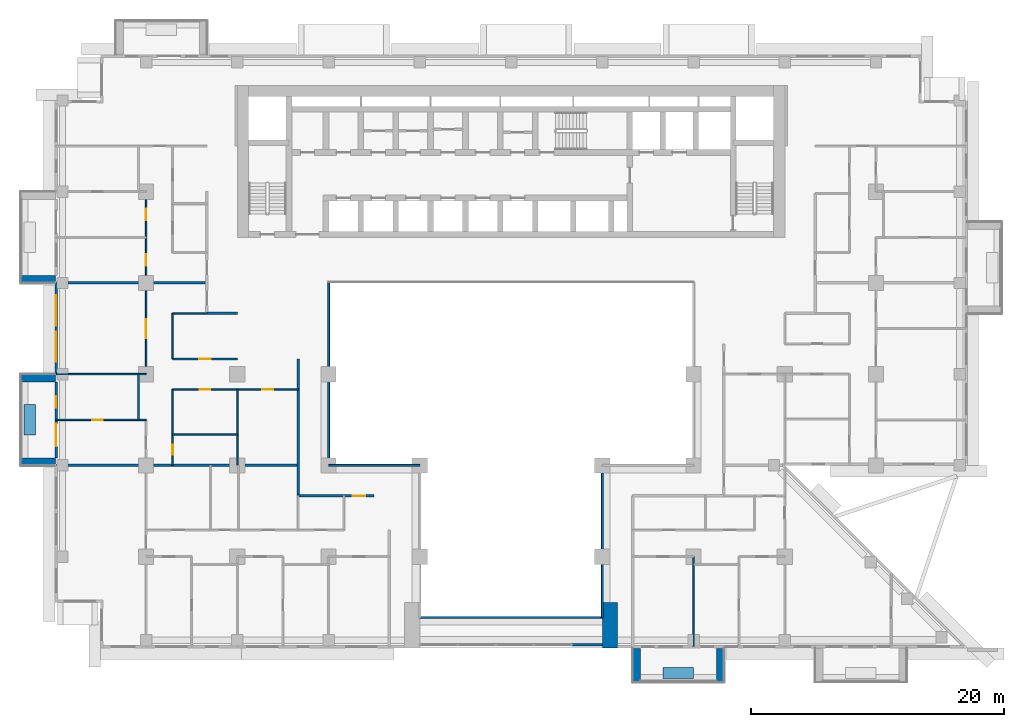
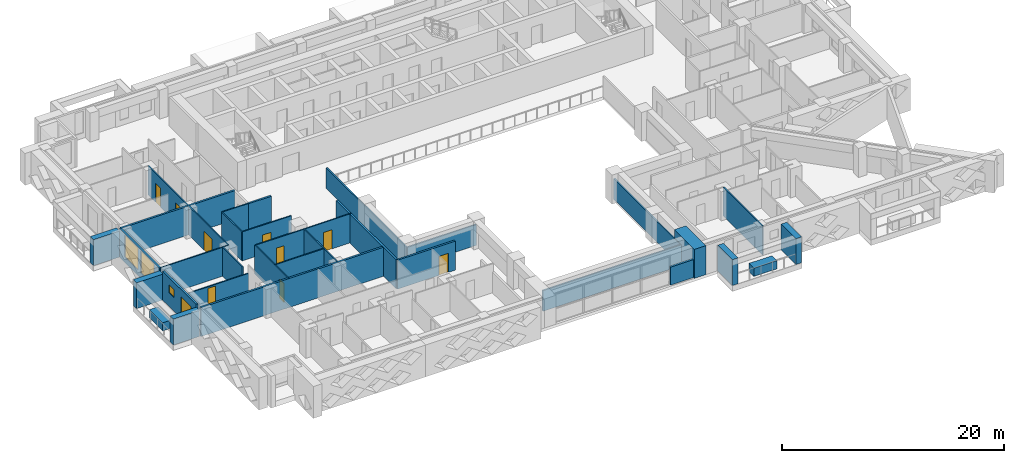
# One storey, part 7 of 17: 32 walls, 10 doors, 3 windows, 13 openings.
"""IFC4 building model written with IfcOpenShell, lengths in metres."""

from ifc_helpers import new_model, si_unit, direction, frame, frame_2d, origin, place, context, subcontext, project, spatial, rectangle, extrude, material, layer, layer_set, type_object, element, fill, save


model = new_model("IFC4")

# Units and contexts
model_context = context("Model", 3, precision=1e-05, world=origin(), true_north=direction((0.0, 1.0)))
body_context = subcontext(model_context, "Body", "Model", "MODEL_VIEW")
ifc_project = project(units=[si_unit("LENGTHUNIT", "METRE"), si_unit("AREAUNIT", "SQUARE_METRE"), si_unit("VOLUMEUNIT", "CUBIC_METRE"), si_unit("PLANEANGLEUNIT", "RADIAN"), si_unit("MASSUNIT", "GRAM", prefix="KILO")], contexts=[model_context])

# Site, building, storey
site_placement = place(None, origin())
site = spatial("IfcSite", under=ifc_project, at=site_placement, CompositionType="ELEMENT")
building_placement = place(site_placement, origin())
building = spatial("IfcBuilding", under=site, at=building_placement, Name="Saffron Iwan Residences", CompositionType="ELEMENT")
storey_placement = place(building_placement, frame((0.0, 0.0, 100.5)))
storey = spatial("IfcBuildingStorey", under=building, at=storey_placement, Name="L26", CompositionType="ELEMENT", Elevation=100.5)

# Walls
ifc_material_1 = material(Name="Fire-rated glazing", Category="glass")
ifc_layer_1 = layer(ifc_material_1, 0.14990234375)
ifc_layer_set_1 = layer_set([ifc_layer_1], Name="Fire-rated glazing")
wall_type_1 = type_object("IfcWallType", Name="Atrium glazed screen 150", PredefinedType="SOLIDWALL", material=ifc_layer_set_1)
wall_1_placement = place(storey_placement, frame((43.199951171875, 36.0, 0.0), z_axis=(0.0, 0.0, 1.0), x_axis=(1.0, 0.0, 0.0)))
element("IfcWall", 1, at=wall_1_placement, inside=storey, type_object=wall_type_1, Name="W-L26-SCREEN-h36-43.2", PredefinedType="SOLIDWALL", context=body_context, shape_type="SweptSolid", body=[
    extrude(rectangle(XDim=14.400146484375, YDim=0.14990234375, at=frame_2d((7.2001953125, 0.0))), origin(), (0.0, 0.0, 1.0), 2.280029296875),
])
wall_2_placement = place(storey_placement, frame((36.0, 48.0, 0.0), z_axis=(0.0, 0.0, 1.0), x_axis=(1.0, 0.0, 0.0)))
element("IfcWall", 2, at=wall_2_placement, inside=storey, type_object=wall_type_1, Name="W-L26-SCREEN-h48-36", PredefinedType="SOLIDWALL", context=body_context, shape_type="SweptSolid", body=[
    extrude(rectangle(XDim=7.199951171875, YDim=0.14990234375, at=frame_2d((3.60009765625, 0.0))), origin(), (0.0, 0.0, 1.0), 2.280029296875),
])
wall_3_placement = place(storey_placement, frame((36.0, 48.0, 0.0), z_axis=(0.0, 0.0, 1.0), x_axis=(0.0, 1.0, 0.0)))
element("IfcWall", 3, at=wall_3_placement, inside=storey, type_object=wall_type_1, Name="W-L26-SCREEN-v36-48", PredefinedType="SOLIDWALL", context=body_context, shape_type="SweptSolid", body=[
    extrude(rectangle(XDim=14.39990234375, YDim=0.14990234375, at=frame_2d((7.199951171875, 0.0))), origin(), (0.0, 0.0, 1.0), 2.280029296875),
])
wall_4_placement = place(storey_placement, frame((57.60009765625, 36.0, 0.0), z_axis=(0.0, 0.0, 1.0), x_axis=(0.0, 1.0, 0.0)))
element("IfcWall", 4, at=wall_4_placement, inside=storey, type_object=wall_type_1, Name="W-L26-SCREEN-v57.6-36", PredefinedType="SOLIDWALL", context=body_context, shape_type="SweptSolid", body=[
    extrude(rectangle(XDim=12.0, YDim=0.14990234375, at=frame_2d((6.0, 0.0))), origin(), (0.0, 0.0, 1.0), 2.280029296875),
])
ifc_material_2 = material(Name="Concrete C50/60 white painted", Category="concrete")
ifc_layer_2 = layer(ifc_material_2, 0.60009765625)
ifc_layer_set_2 = layer_set([ifc_layer_2], Name="Concrete C50/60 white painted")
wall_type_2 = type_object("IfcWallType", Name="BALCONY FIN 600", PredefinedType="SOLIDWALL", material=ifc_layer_set_2)
for number, where, z_axis, x_axis, name in (
    (5, (14.449951171875, 62.699951171875, 0.0), (0.0, 0.0, 1.0), (-1.0, 0.0, 0.0), "Balcony fin L26 F8-0b"),
    (6, (14.449951171875, 54.89990234375, 0.0), (0.0, 0.0, 1.0), (-1.0, 0.0, 0.0), "Balcony fin L26 F8-1a"),
    (7, (14.449951171875, 48.300048828125, 0.0), (0.0, 0.0, 1.0), (-1.0, 0.0, 0.0), "Balcony fin L26 F8-1b"),
):
    element("IfcWall", number, at=place(storey_placement, frame(where, z_axis=z_axis, x_axis=x_axis)), inside=storey, type_object=wall_type_2, Name=name, PredefinedType="SOLIDWALL", context=body_context, shape_type="SweptSolid", body=[
        extrude(rectangle(XDim=2.75, YDim=0.60009765625, at=frame_2d((1.375, 0.0))), origin(), (0.0, 0.0, 1.0), 2.85009765625),
    ])
for number, where, z_axis, x_axis, name in (
    (8, (60.300048828125, 33.550048828125, 0.0), (0.0, 0.0, 1.0), (0.0, -1.0, 0.0), "Balcony fin L26 11-1a"),
    (9, (66.89990234375, 33.550048828125, 0.0), (0.0, 0.0, 1.0), (0.0, -1.0, 0.0), "Balcony fin L26 11-1b"),
):
    element("IfcWall", number, at=place(storey_placement, frame(where, z_axis=z_axis, x_axis=x_axis)), inside=storey, type_object=wall_type_2, Name=name, PredefinedType="SOLIDWALL", context=body_context, shape_type="SweptSolid", body=[
        extrude(rectangle(XDim=2.650146484375, YDim=0.60009765625, at=frame_2d((1.3251953125, 0.0))), origin(), (0.0, 0.0, 1.0), 2.85009765625),
    ])
ifc_material_3 = material(Name="Concrete C35/45 white painted", Category="concrete")
ifc_layer_3 = layer(ifc_material_3, 0.14990234375)
ifc_layer_set_3 = layer_set([ifc_layer_3], Name="Concrete C35/45 white painted")
wall_type_3 = type_object("IfcWallType", Name="BALCONY PLANTER", PredefinedType="SOLIDWALL", material=ifc_layer_set_3)
for number, where, z_axis, x_axis, name in (
    (10, (12.425048828125, 52.800048828125, 0.0), (0.0, 0.0, 1.0), (0.0, -1.0, 0.0), "PLANTER L26 F8-1"),
    (11, (62.39990234375, 31.625, 0.0), (0.0, 0.0, 1.0), (1.0, 0.0, 0.0), "PLANTER L26 11-1"),
):
    element("IfcWall", number, at=place(storey_placement, frame(where, z_axis=z_axis, x_axis=x_axis)), inside=storey, type_object=wall_type_3, Name=name, PredefinedType="SOLIDWALL", context=body_context, shape_type="SweptSolid", body=[
        extrude(rectangle(XDim=2.400146484375, YDim=0.89990234375, at=frame_2d((1.2001953125, 0.0))), origin(), (0.0, 0.0, 1.0), 0.89990234375),
    ])

# Wall, openings, windows
ifc_material_4 = material(Name="Concrete C40/50", Category="concrete")
ifc_layer_4 = layer(ifc_material_4, 0.199951171875)
ifc_layer_set_4 = layer_set([ifc_layer_4], Name="Concrete C40/50")
wall_type_4 = type_object("IfcWallType", Name="EXTERNAL WALL 200", PredefinedType="SOLIDWALL", material=ifc_layer_set_4)
wall_5_placement = place(storey_placement, frame((14.5, 62.39990234375, 0.0), z_axis=(0.0, 0.0, 1.0), x_axis=(0.0, -1.0, 0.0)))
wall_5 = element("IfcWall", 12, at=wall_5_placement, inside=storey, type_object=wall_type_4, Name="External wall L26 F8.2", PredefinedType="SOLIDWALL", context=body_context, shape_type="SweptSolid", body=[
    extrude(rectangle(XDim=7.199951171875, YDim=0.199951171875, at=frame_2d((3.60009765625, 0.0))), origin(), (0.0, 0.0, 1.0), 3.179931640625),
])
opening_1_placement = place(wall_5_placement, frame((0.966796875, 0.0, 0.60009765625)))
opening_1 = element("IfcOpeningElement", 13, at=opening_1_placement, cuts=wall_5, Name="Opening W1", PredefinedType="OPENING", context=body_context, shape_type="SweptSolid", body=[
    extrude(rectangle(XDim=2.39990234375, YDim=2.39990234375, at=frame_2d((1.199951171875, 1.199951171875))), frame((0.0, 0.10986328125, 0.0), z_axis=(0.0, -1.0, 0.0), x_axis=(1.0, 0.0, 0.0)), (0.0, 0.0, 1.0), 0.219970703125),
])
opening_2_placement = place(wall_5_placement, frame((3.833251953125, 0.0, 0.60009765625)))
opening_2 = element("IfcOpeningElement", 14, at=opening_2_placement, cuts=wall_5, Name="Opening W1", PredefinedType="OPENING", context=body_context, shape_type="SweptSolid", body=[
    extrude(rectangle(XDim=2.39990234375, YDim=2.39990234375, at=frame_2d((1.199951171875, 1.199951171875))), frame((0.0, 0.10986328125, 0.0), z_axis=(0.0, -1.0, 0.0), x_axis=(1.0, 0.0, 0.0)), (0.0, 0.0, 1.0), 0.219970703125),
])
ifc_material_5 = material(Name="Clear glass, laminated double glazed", Category="glass")
window_type_1 = type_object("IfcWindowType", Name="WINDOW 2400 x 2400", PartitioningType="DOUBLE_PANEL_VERTICAL", PredefinedType="WINDOW", material=ifc_material_5)
window_1_placement = place(opening_1_placement, origin())
window_1 = element("IfcWindow", 15, at=window_1_placement, inside=storey, type_object=window_type_1, Name="Window L26 F8.0", OverallHeight=2.39990234375, OverallWidth=2.39990234375, PartitioningType="DOUBLE_PANEL_VERTICAL", PredefinedType="WINDOW", context=body_context, shape_type="SweptSolid", body=[
    extrude(rectangle(XDim=2.39990234375, YDim=2.39990234375, at=frame_2d((1.199951171875, 1.199951171875))), frame((0.0, 0.030029296875, 0.0), z_axis=(0.0, -1.0, 0.0), x_axis=(1.0, 0.0, 0.0)), (0.0, 0.0, 1.0), 0.06005859375),
])
fill(opening_1, window_1)
window_2_placement = place(opening_2_placement, origin())
window_2 = element("IfcWindow", 16, at=window_2_placement, inside=storey, type_object=window_type_1, Name="Window L26 F8.1", OverallHeight=2.39990234375, OverallWidth=2.39990234375, PartitioningType="DOUBLE_PANEL_VERTICAL", PredefinedType="WINDOW", context=body_context, shape_type="SweptSolid", body=[
    extrude(rectangle(XDim=2.39990234375, YDim=2.39990234375, at=frame_2d((1.199951171875, 1.199951171875))), frame((0.0, 0.030029296875, 0.0), z_axis=(0.0, -1.0, 0.0), x_axis=(1.0, 0.0, 0.0)), (0.0, 0.0, 1.0), 0.06005859375),
])
fill(opening_2, window_2)

# Wall, openings, door, window
wall_6_placement = place(storey_placement, frame((14.5, 54.60009765625, 0.0), z_axis=(0.0, 0.0, 1.0), x_axis=(0.0, -1.0, 0.0)))
wall_6 = element("IfcWall", 17, at=wall_6_placement, inside=storey, type_object=wall_type_4, Name="External wall L26 F8.3", PredefinedType="SOLIDWALL", context=body_context, shape_type="SweptSolid", body=[
    extrude(rectangle(XDim=6.0, YDim=0.199951171875, at=frame_2d((3.0, 0.0))), origin(), (0.0, 0.0, 1.0), 3.179931640625),
])
opening_3_placement = place(wall_6_placement, frame((3.300048828125, 0.0, 0.0)))
opening_3 = element("IfcOpeningElement", 18, at=opening_3_placement, cuts=wall_6, Name="Opening BD1", PredefinedType="OPENING", context=body_context, shape_type="SweptSolid", body=[
    extrude(rectangle(XDim=1.800048828125, YDim=2.39990234375, at=frame_2d((0.89990234375, 1.199951171875))), frame((0.0, 0.10986328125, 0.0), z_axis=(0.0, -1.0, 0.0), x_axis=(1.0, 0.0, 0.0)), (0.0, 0.0, 1.0), 0.219970703125),
])
opening_4_placement = place(wall_6_placement, frame((1.14990234375, 0.0, 1.5)))
opening_4 = element("IfcOpeningElement", 19, at=opening_4_placement, cuts=wall_6, Name="Opening W6", PredefinedType="OPENING", context=body_context, shape_type="SweptSolid", body=[
    extrude(rectangle(XDim=0.89990234375, YDim=0.89990234375, at=frame_2d((0.449951171875, 0.449951171875))), frame((0.0, 0.10986328125, 0.0), z_axis=(0.0, -1.0, 0.0), x_axis=(1.0, 0.0, 0.0)), (0.0, 0.0, 1.0), 0.219970703125),
])
door_type_1 = type_object("IfcDoorType", Name="BALCONY DOOR 1800 x 2400", OperationType="DOUBLE_DOOR_SLIDING", PredefinedType="DOOR", material=ifc_material_5)
door_1_placement = place(opening_3_placement, origin())
door_1 = element("IfcDoor", 20, at=door_1_placement, inside=storey, type_object=door_type_1, Name="Balcony door L26 F8.0", OperationType="DOUBLE_DOOR_SLIDING", OverallHeight=2.39990234375, OverallWidth=1.800048828125, PredefinedType="DOOR", context=body_context, shape_type="SweptSolid", body=[
    extrude(rectangle(XDim=1.800048828125, YDim=2.39990234375, at=frame_2d((0.89990234375, 1.199951171875))), frame((0.0, 0.02490234375, 0.0), z_axis=(0.0, -1.0, 0.0), x_axis=(1.0, 0.0, 0.0)), (0.0, 0.0, 1.0), 0.050048828125),
])
fill(opening_3, door_1)
window_type_2 = type_object("IfcWindowType", Name="WINDOW 900 x 900 BATH", PartitioningType="SINGLE_PANEL", PredefinedType="WINDOW", material=ifc_material_5)
window_3_placement = place(opening_4_placement, origin())
window_3 = element("IfcWindow", 21, at=window_3_placement, inside=storey, type_object=window_type_2, Name="Window L26 F8.1", OverallHeight=0.89990234375, OverallWidth=0.89990234375, PartitioningType="SINGLE_PANEL", PredefinedType="WINDOW", context=body_context, shape_type="SweptSolid", body=[
    extrude(rectangle(XDim=0.89990234375, YDim=0.89990234375, at=frame_2d((0.449951171875, 0.449951171875))), frame((0.0, 0.030029296875, 0.0), z_axis=(0.0, -1.0, 0.0), x_axis=(1.0, 0.0, 0.0)), (0.0, 0.0, 1.0), 0.06005859375),
])
fill(opening_4, window_3)

# Walls
wall_7_placement = place(storey_placement, frame((55.199951171875, 33.85009765625, 0.0), z_axis=(0.0, 0.0, 1.0), x_axis=(1.0, 0.0, 0.0)))
element("IfcWall", 22, at=wall_7_placement, inside=storey, type_object=wall_type_4, Name="External wall infill CWB-L26-0", PredefinedType="SOLIDWALL", context=body_context, shape_type="SweptSolid", body=[
    extrude(rectangle(XDim=2.400146484375, YDim=0.199951171875, at=frame_2d((1.2001953125, 0.0))), origin(), (0.0, 0.0, 1.0), 1.97998046875),
])
ifc_material_6 = material(Name="Fire-rated gypsum board wall")
ifc_layer_5 = layer(ifc_material_6, 0.199951171875)
ifc_layer_set_5 = layer_set([ifc_layer_5], Name="Fire-rated gypsum board wall")
wall_type_5 = type_object("IfcWallType", Name="Flat demising wall 200", PredefinedType="SOLIDWALL", material=ifc_layer_set_5)
wall_8_placement = place(storey_placement, frame((14.52490234375, 48.0, 0.0), z_axis=(0.0, 0.0, 1.0), x_axis=(1.0, 0.0, 0.0)))
element("IfcWall", 23, at=wall_8_placement, inside=storey, type_object=wall_type_5, Name="W-L26-DEMISE-h48-14.525", PredefinedType="SOLIDWALL", context=body_context, shape_type="SweptSolid", body=[
    extrude(rectangle(XDim=19.0751953125, YDim=0.199951171875, at=frame_2d((9.53759765625, 0.0))), origin(), (0.0, 0.0, 1.0), 3.179931640625),
])
wall_9_placement = place(storey_placement, frame((14.52490234375, 62.39990234375, 0.0), z_axis=(0.0, 0.0, 1.0), x_axis=(1.0, 0.0, 0.0)))
element("IfcWall", 24, at=wall_9_placement, inside=storey, type_object=wall_type_5, Name="W-L26-DEMISE-h62.4-14.525", PredefinedType="SOLIDWALL", context=body_context, shape_type="SweptSolid", body=[
    extrude(rectangle(XDim=11.875, YDim=0.199951171875, at=frame_2d((5.9375, 0.0))), origin(), (0.0, 0.0, 1.0), 3.179931640625),
])
ifc_material_7 = material(Name="Gypsum board partition")
ifc_layer_6 = layer(ifc_material_7, 0.1201171875)
ifc_layer_set_6 = layer_set([ifc_layer_6], Name="Gypsum board partition")
wall_type_6 = type_object("IfcWallType", Name="Flat partition 120", PredefinedType="PARTITIONING", material=ifc_layer_set_6)
wall_10_placement = place(storey_placement, frame((23.699951171875, 50.449951171875, 0.0), z_axis=(0.0, 0.0, 1.0), x_axis=(1.0, 0.0, 0.0)))
element("IfcWall", 25, at=wall_10_placement, inside=storey, type_object=wall_type_6, Name="W-L26-PART-h50.45-23.7", PredefinedType="PARTITIONING", context=body_context, shape_type="SweptSolid", body=[
    extrude(rectangle(XDim=5.10009765625, YDim=0.1201171875, at=frame_2d((2.550048828125, 0.0))), origin(), (0.0, 0.0, 1.0), 3.179931640625),
])

# Wall, opening, door
wall_11_placement = place(storey_placement, frame((14.52490234375, 51.60009765625, 0.0), z_axis=(0.0, 0.0, 1.0), x_axis=(1.0, 0.0, 0.0)))
wall_11 = element("IfcWall", 26, at=wall_11_placement, inside=storey, type_object=wall_type_6, Name="W-L26-PART-h51.6-14.525", PredefinedType="PARTITIONING", context=body_context, shape_type="SweptSolid", body=[
    extrude(rectangle(XDim=7.0751953125, YDim=0.1201171875, at=frame_2d((3.53759765625, 0.0))), origin(), (0.0, 0.0, 1.0), 2.280029296875),
])
opening_5_placement = place(wall_11_placement, frame((2.83740234375, 0.0, 0.0)))
opening_5 = element("IfcOpeningElement", 27, at=opening_5_placement, cuts=wall_11, Name="Opening FD3", PredefinedType="OPENING", context=body_context, shape_type="SweptSolid", body=[
    extrude(rectangle(XDim=0.800048828125, YDim=2.10009765625, at=frame_2d((0.39990234375, 1.050048828125))), frame((0.0, 0.070068359375, 0.0), z_axis=(0.0, -1.0, 0.0), x_axis=(1.0, 0.0, 0.0)), (0.0, 0.0, 1.0), 0.14013671875),
])
ifc_material_8 = material(Name="Timber door", Category="wood")
door_type_2 = type_object("IfcDoorType", Name="Bathroom door 800", OperationType="NOTDEFINED", PredefinedType="DOOR", material=ifc_material_8)
door_2_placement = place(opening_5_placement, origin())
door_2 = element("IfcDoor", 28, at=door_2_placement, inside=storey, type_object=door_type_2, Name="Door L26-014", OperationType="SINGLE_SWING_RIGHT", OverallHeight=2.10009765625, OverallWidth=0.800048828125, PredefinedType="DOOR", context=body_context, shape_type="SweptSolid", body=[
    extrude(rectangle(XDim=0.800048828125, YDim=2.10009765625, at=frame_2d((0.39990234375, 1.050048828125))), frame((0.0, 0.02490234375, 0.0), z_axis=(0.0, -1.0, 0.0), x_axis=(1.0, 0.0, 0.0)), (0.0, 0.0, 1.0), 0.050048828125),
])
fill(opening_5, door_2)

# Wall, openings, doors
wall_12_placement = place(storey_placement, frame((23.699951171875, 54.0, 0.0), z_axis=(0.0, 0.0, 1.0), x_axis=(1.0, 0.0, 0.0)))
wall_12 = element("IfcWall", 29, at=wall_12_placement, inside=storey, type_object=wall_type_6, Name="W-L26-PART-h54-23.7", PredefinedType="PARTITIONING", context=body_context, shape_type="SweptSolid", body=[
    extrude(rectangle(XDim=9.900146484375, YDim=0.1201171875, at=frame_2d((4.9501953125, 0.0))), origin(), (0.0, 0.0, 1.0), 3.179931640625),
])
opening_6_placement = place(wall_12_placement, frame((2.14990234375, 0.0, 0.0)))
opening_6 = element("IfcOpeningElement", 30, at=opening_6_placement, cuts=wall_12, Name="Opening FD3", PredefinedType="OPENING", context=body_context, shape_type="SweptSolid", body=[
    extrude(rectangle(XDim=0.800048828125, YDim=2.10009765625, at=frame_2d((0.39990234375, 1.050048828125))), frame((0.0, 0.070068359375, 0.0), z_axis=(0.0, -1.0, 0.0), x_axis=(1.0, 0.0, 0.0)), (0.0, 0.0, 1.0), 0.14013671875),
])
opening_7_placement = place(wall_12_placement, frame((7.050048828125, 0.0, 0.0)))
opening_7 = element("IfcOpeningElement", 31, at=opening_7_placement, cuts=wall_12, Name="Opening FD2", PredefinedType="OPENING", context=body_context, shape_type="SweptSolid", body=[
    extrude(rectangle(XDim=0.89990234375, YDim=2.10009765625, at=frame_2d((0.449951171875, 1.050048828125))), frame((0.0, 0.070068359375, 0.0), z_axis=(0.0, -1.0, 0.0), x_axis=(1.0, 0.0, 0.0)), (0.0, 0.0, 1.0), 0.14013671875),
])
door_3_placement = place(opening_6_placement, origin())
door_3 = element("IfcDoor", 32, at=door_3_placement, inside=storey, type_object=door_type_2, Name="Door L26-017", OperationType="SINGLE_SWING_RIGHT", OverallHeight=2.10009765625, OverallWidth=0.800048828125, PredefinedType="DOOR", context=body_context, shape_type="SweptSolid", body=[
    extrude(rectangle(XDim=0.800048828125, YDim=2.10009765625, at=frame_2d((0.39990234375, 1.050048828125))), frame((0.0, 0.02490234375, 0.0), z_axis=(0.0, -1.0, 0.0), x_axis=(1.0, 0.0, 0.0)), (0.0, 0.0, 1.0), 0.050048828125),
])
fill(opening_6, door_3)
door_type_3 = type_object("IfcDoorType", Name="Flat door 900", OperationType="NOTDEFINED", PredefinedType="DOOR", material=ifc_material_8)
door_4_placement = place(opening_7_placement, origin())
door_4 = element("IfcDoor", 33, at=door_4_placement, inside=storey, type_object=door_type_3, Name="Door L26-019", OperationType="SINGLE_SWING_LEFT", OverallHeight=2.10009765625, OverallWidth=0.89990234375, PredefinedType="DOOR", context=body_context, shape_type="SweptSolid", body=[
    extrude(rectangle(XDim=0.89990234375, YDim=2.10009765625, at=frame_2d((0.449951171875, 1.050048828125))), frame((0.0, 0.02490234375, 0.0), z_axis=(0.0, -1.0, 0.0), x_axis=(1.0, 0.0, 0.0)), (0.0, 0.0, 1.0), 0.050048828125),
])
fill(opening_7, door_4)

# Wall
wall_13_placement = place(storey_placement, frame((14.52490234375, 55.199951171875, 0.0), z_axis=(0.0, 0.0, 1.0), x_axis=(1.0, 0.0, 0.0)))
element("IfcWall", 34, at=wall_13_placement, inside=storey, type_object=wall_type_6, Name="W-L26-PART-h55.2-14.525", PredefinedType="PARTITIONING", context=body_context, shape_type="SweptSolid", body=[
    extrude(rectangle(XDim=7.0751953125, YDim=0.1201171875, at=frame_2d((3.53759765625, 0.0))), origin(), (0.0, 0.0, 1.0), 3.179931640625),
])

# Wall, opening, door
wall_14_placement = place(storey_placement, frame((23.699951171875, 56.39990234375, 0.0), z_axis=(0.0, 0.0, 1.0), x_axis=(1.0, 0.0, 0.0)))
wall_14 = element("IfcWall", 35, at=wall_14_placement, inside=storey, type_object=wall_type_6, Name="W-L26-PART-h56.4-23.7", PredefinedType="PARTITIONING", context=body_context, shape_type="SweptSolid", body=[
    extrude(rectangle(XDim=5.10009765625, YDim=0.1201171875, at=frame_2d((2.550048828125, 0.0))), origin(), (0.0, 0.0, 1.0), 3.179931640625),
])
opening_8_placement = place(wall_14_placement, frame((2.10009765625, 0.0, 0.0)))
opening_8 = element("IfcOpeningElement", 36, at=opening_8_placement, cuts=wall_14, Name="Opening FD2", PredefinedType="OPENING", context=body_context, shape_type="SweptSolid", body=[
    extrude(rectangle(XDim=0.89990234375, YDim=2.10009765625, at=frame_2d((0.449951171875, 1.050048828125))), frame((0.0, 0.070068359375, 0.0), z_axis=(0.0, -1.0, 0.0), x_axis=(1.0, 0.0, 0.0)), (0.0, 0.0, 1.0), 0.14013671875),
])
door_5_placement = place(opening_8_placement, origin())
door_5 = element("IfcDoor", 37, at=door_5_placement, inside=storey, type_object=door_type_3, Name="Door L26-018", OperationType="SINGLE_SWING_LEFT", OverallHeight=2.10009765625, OverallWidth=0.89990234375, PredefinedType="DOOR", context=body_context, shape_type="SweptSolid", body=[
    extrude(rectangle(XDim=0.89990234375, YDim=2.10009765625, at=frame_2d((0.449951171875, 1.050048828125))), frame((0.0, 0.02490234375, 0.0), z_axis=(0.0, -1.0, 0.0), x_axis=(1.0, 0.0, 0.0)), (0.0, 0.0, 1.0), 0.050048828125),
])
fill(opening_8, door_5)

# Walls
wall_15_placement = place(storey_placement, frame((23.699951171875, 60.0, 0.0), z_axis=(0.0, 0.0, 1.0), x_axis=(1.0, 0.0, 0.0)))
element("IfcWall", 38, at=wall_15_placement, inside=storey, type_object=wall_type_6, Name="W-L26-PART-h60-23.7", PredefinedType="PARTITIONING", context=body_context, shape_type="SweptSolid", body=[
    extrude(rectangle(XDim=2.699951171875, YDim=0.1201171875, at=frame_2d((1.35009765625, 0.0))), origin(), (0.0, 0.0, 1.0), 3.179931640625),
])
wall_16_placement = place(storey_placement, frame((21.0, 51.60009765625, 0.0), z_axis=(0.0, 0.0, 1.0), x_axis=(0.0, 1.0, 0.0)))
element("IfcWall", 39, at=wall_16_placement, inside=storey, type_object=wall_type_6, Name="W-L26-PART-v21-51.6", PredefinedType="PARTITIONING", context=body_context, shape_type="SweptSolid", body=[
    extrude(rectangle(XDim=3.599853515625, YDim=0.1201171875, at=frame_2d((1.7998046875, 0.0))), origin(), (0.0, 0.0, 1.0), 3.179931640625),
])

# Wall, openings, doors
wall_17_placement = place(storey_placement, frame((21.60009765625, 55.199951171875, 0.0), z_axis=(0.0, 0.0, 1.0), x_axis=(0.0, 1.0, 0.0)))
wall_17 = element("IfcWall", 40, at=wall_17_placement, inside=storey, type_object=wall_type_6, Name="W-L26-PART-v21.6-55.2", PredefinedType="PARTITIONING", context=body_context, shape_type="SweptSolid", body=[
    extrude(rectangle(XDim=14.400146484375, YDim=0.1201171875, at=frame_2d((7.2001953125, 0.0))), origin(), (0.0, 0.0, 1.0), 3.179931640625),
])
opening_9_placement = place(wall_17_placement, frame((2.85009765625, 0.0, 0.0)))
opening_9 = element("IfcOpeningElement", 41, at=opening_9_placement, cuts=wall_17, Name="Opening FD4", PredefinedType="OPENING", context=body_context, shape_type="SweptSolid", body=[
    extrude(rectangle(XDim=1.5, YDim=2.10009765625, at=frame_2d((0.75, 1.050048828125))), frame((0.0, 0.070068359375, 0.0), z_axis=(0.0, -1.0, 0.0), x_axis=(1.0, 0.0, 0.0)), (0.0, 0.0, 1.0), 0.14013671875),
])
opening_10_placement = place(wall_17_placement, frame((8.550048828125, 0.0, 0.0)))
opening_10 = element("IfcOpeningElement", 42, at=opening_10_placement, cuts=wall_17, Name="Opening FD2", PredefinedType="OPENING", context=body_context, shape_type="SweptSolid", body=[
    extrude(rectangle(XDim=0.89990234375, YDim=2.10009765625, at=frame_2d((0.449951171875, 1.050048828125))), frame((0.0, 0.070068359375, 0.0), z_axis=(0.0, -1.0, 0.0), x_axis=(1.0, 0.0, 0.0)), (0.0, 0.0, 1.0), 0.14013671875),
])
opening_11_placement = place(wall_17_placement, frame((12.14990234375, 0.0, 0.0)))
opening_11 = element("IfcOpeningElement", 43, at=opening_11_placement, cuts=wall_17, Name="Opening FD2", PredefinedType="OPENING", context=body_context, shape_type="SweptSolid", body=[
    extrude(rectangle(XDim=0.89990234375, YDim=2.10009765625, at=frame_2d((0.449951171875, 1.050048828125))), frame((0.0, 0.070068359375, 0.0), z_axis=(0.0, -1.0, 0.0), x_axis=(1.0, 0.0, 0.0)), (0.0, 0.0, 1.0), 0.14013671875),
])
door_type_4 = type_object("IfcDoorType", Name="Double door 1500", OperationType="NOTDEFINED", PredefinedType="DOOR", material=ifc_material_8)
door_6_placement = place(opening_9_placement, origin())
door_6 = element("IfcDoor", 44, at=door_6_placement, inside=storey, type_object=door_type_4, Name="Door L26-015", OperationType="SINGLE_SWING_LEFT", OverallHeight=2.10009765625, OverallWidth=1.5, PredefinedType="DOOR", context=body_context, shape_type="SweptSolid", body=[
    extrude(rectangle(XDim=1.5, YDim=2.10009765625, at=frame_2d((0.75, 1.050048828125))), frame((0.0, 0.02490234375, 0.0), z_axis=(0.0, -1.0, 0.0), x_axis=(1.0, 0.0, 0.0)), (0.0, 0.0, 1.0), 0.050048828125),
])
fill(opening_9, door_6)
door_7_placement = place(opening_10_placement, origin())
door_7 = element("IfcDoor", 45, at=door_7_placement, inside=storey, type_object=door_type_3, Name="Door L26-029", OperationType="SINGLE_SWING_RIGHT", OverallHeight=2.10009765625, OverallWidth=0.89990234375, PredefinedType="DOOR", context=body_context, shape_type="SweptSolid", body=[
    extrude(rectangle(XDim=0.89990234375, YDim=2.10009765625, at=frame_2d((0.449951171875, 1.050048828125))), frame((0.0, 0.02490234375, 0.0), z_axis=(0.0, -1.0, 0.0), x_axis=(1.0, 0.0, 0.0)), (0.0, 0.0, 1.0), 0.050048828125),
])
fill(opening_10, door_7)
door_8_placement = place(opening_11_placement, origin())
door_8 = element("IfcDoor", 46, at=door_8_placement, inside=storey, type_object=door_type_3, Name="Door L26-030", OperationType="SINGLE_SWING_LEFT", OverallHeight=2.10009765625, OverallWidth=0.89990234375, PredefinedType="DOOR", context=body_context, shape_type="SweptSolid", body=[
    extrude(rectangle(XDim=0.89990234375, YDim=2.10009765625, at=frame_2d((0.449951171875, 1.050048828125))), frame((0.0, 0.02490234375, 0.0), z_axis=(0.0, -1.0, 0.0), x_axis=(1.0, 0.0, 0.0)), (0.0, 0.0, 1.0), 0.050048828125),
])
fill(opening_11, door_8)

# Wall, opening, door
wall_18_placement = place(storey_placement, frame((23.699951171875, 48.0, 0.0), z_axis=(0.0, 0.0, 1.0), x_axis=(0.0, 1.0, 0.0)))
wall_18 = element("IfcWall", 47, at=wall_18_placement, inside=storey, type_object=wall_type_6, Name="W-L26-PART-v23.7-48", PredefinedType="PARTITIONING", context=body_context, shape_type="SweptSolid", body=[
    extrude(rectangle(XDim=6.0, YDim=0.1201171875, at=frame_2d((3.0, 0.0))), origin(), (0.0, 0.0, 1.0), 3.179931640625),
])
opening_12_placement = place(wall_18_placement, frame((0.824951171875, 0.0, 0.0)))
opening_12 = element("IfcOpeningElement", 48, at=opening_12_placement, cuts=wall_18, Name="Opening FD3", PredefinedType="OPENING", context=body_context, shape_type="SweptSolid", body=[
    extrude(rectangle(XDim=0.800048828125, YDim=2.10009765625, at=frame_2d((0.39990234375, 1.050048828125))), frame((0.0, 0.070068359375, 0.0), z_axis=(0.0, -1.0, 0.0), x_axis=(1.0, 0.0, 0.0)), (0.0, 0.0, 1.0), 0.14013671875),
])
door_9_placement = place(opening_12_placement, origin())
door_9 = element("IfcDoor", 49, at=door_9_placement, inside=storey, type_object=door_type_2, Name="Door L26-016", OperationType="SINGLE_SWING_LEFT", OverallHeight=2.10009765625, OverallWidth=0.800048828125, PredefinedType="DOOR", context=body_context, shape_type="SweptSolid", body=[
    extrude(rectangle(XDim=0.800048828125, YDim=2.10009765625, at=frame_2d((0.39990234375, 1.050048828125))), frame((0.0, 0.02490234375, 0.0), z_axis=(0.0, -1.0, 0.0), x_axis=(1.0, 0.0, 0.0)), (0.0, 0.0, 1.0), 0.050048828125),
])
fill(opening_12, door_9)

# Walls
wall_19_placement = place(storey_placement, frame((23.699951171875, 56.39990234375, 0.0), z_axis=(0.0, 0.0, 1.0), x_axis=(0.0, 1.0, 0.0)))
element("IfcWall", 50, at=wall_19_placement, inside=storey, type_object=wall_type_6, Name="W-L26-PART-v23.7-56.4", PredefinedType="PARTITIONING", context=body_context, shape_type="SweptSolid", body=[
    extrude(rectangle(XDim=3.60009765625, YDim=0.1201171875, at=frame_2d((1.800048828125, 0.0))), origin(), (0.0, 0.0, 1.0), 3.179931640625),
])
wall_20_placement = place(storey_placement, frame((28.800048828125, 48.0, 0.0), z_axis=(0.0, 0.0, 1.0), x_axis=(0.0, 1.0, 0.0)))
element("IfcWall", 51, at=wall_20_placement, inside=storey, type_object=wall_type_6, Name="W-L26-PART-v28.8-48", PredefinedType="PARTITIONING", context=body_context, shape_type="SweptSolid", body=[
    extrude(rectangle(XDim=6.0, YDim=0.1201171875, at=frame_2d((3.0, 0.0))), origin(), (0.0, 0.0, 1.0), 3.179931640625),
])
wall_21_placement = place(storey_placement, frame((64.800048828125, 33.72509765625, 0.0), z_axis=(0.0, 0.0, 1.0), x_axis=(0.0, 1.0, 0.0)))
element("IfcWall", 52, at=wall_21_placement, inside=storey, type_object=wall_type_6, Name="W-L26-PART-v64.8-33.725", PredefinedType="PARTITIONING", context=body_context, shape_type="SweptSolid", body=[
    extrude(rectangle(XDim=7.074951171875, YDim=0.1201171875, at=frame_2d((3.53759765625, 0.0))), origin(), (0.0, 0.0, 1.0), 3.179931640625),
])

# Wall, opening, door
ifc_layer_7 = layer(ifc_material_6, 0.199951171875)
ifc_layer_set_7 = layer_set([ifc_layer_7], Name="Fire-rated gypsum board wall")
wall_type_7 = type_object("IfcWallType", Name="Gallery wall 200", PredefinedType="SOLIDWALL", material=ifc_layer_set_7)
wall_22_placement = place(storey_placement, frame((33.60009765625, 45.60009765625, 0.0), z_axis=(0.0, 0.0, 1.0), x_axis=(1.0, 0.0, 0.0)))
wall_22 = element("IfcWall", 53, at=wall_22_placement, inside=storey, type_object=wall_type_7, Name="W-L26-CORR-h45.6-33.6", PredefinedType="SOLIDWALL", context=body_context, shape_type="SweptSolid", body=[
    extrude(rectangle(XDim=6.0, YDim=0.199951171875, at=frame_2d((3.0, 0.0))), origin(), (0.0, 0.0, 1.0), 3.179931640625),
])
opening_13_placement = place(wall_22_placement, frame((4.300048828125, 0.0, 0.0)))
opening_13 = element("IfcOpeningElement", 54, at=opening_13_placement, cuts=wall_22, Name="Opening FD1", PredefinedType="OPENING", context=body_context, shape_type="SweptSolid", body=[
    extrude(rectangle(XDim=1.0, YDim=2.10009765625, at=frame_2d((0.5, 1.050048828125))), frame((0.0, 0.10986328125, 0.0), z_axis=(0.0, -1.0, 0.0), x_axis=(1.0, 0.0, 0.0)), (0.0, 0.0, 1.0), 0.219970703125),
])
ifc_material_9 = material(Name="Fire-rated timber door", Category="wood")
door_type_5 = type_object("IfcDoorType", Name="FD30S flat entrance door 1000", OperationType="NOTDEFINED", PredefinedType="DOOR", material=ifc_material_9)
door_10_placement = place(opening_13_placement, origin())
door_10 = element("IfcDoor", 55, at=door_10_placement, inside=storey, type_object=door_type_5, Name="Door L26-001", OperationType="SINGLE_SWING_LEFT", OverallHeight=2.10009765625, OverallWidth=1.0, PredefinedType="DOOR", context=body_context, shape_type="SweptSolid", body=[
    extrude(rectangle(XDim=1.0, YDim=2.10009765625, at=frame_2d((0.5, 1.050048828125))), frame((0.0, 0.02490234375, 0.0), z_axis=(0.0, -1.0, 0.0), x_axis=(1.0, 0.0, 0.0)), (0.0, 0.0, 1.0), 0.050048828125),
])
fill(opening_13, door_10)

# Walls
wall_23_placement = place(storey_placement, frame((26.39990234375, 60.0, 0.0), z_axis=(0.0, 0.0, 1.0), x_axis=(1.0, 0.0, 0.0)))
element("IfcWall", 56, at=wall_23_placement, inside=storey, type_object=wall_type_7, Name="W-L26-CORR-h60-26.4", PredefinedType="SOLIDWALL", context=body_context, shape_type="SweptSolid", body=[
    extrude(rectangle(XDim=2.400146484375, YDim=0.199951171875, at=frame_2d((1.2001953125, 0.0))), origin(), (0.0, 0.0, 1.0), 3.179931640625),
])
wall_24_placement = place(storey_placement, frame((33.60009765625, 45.60009765625, 0.0), z_axis=(0.0, 0.0, 1.0), x_axis=(0.0, 1.0, 0.0)))
element("IfcWall", 57, at=wall_24_placement, inside=storey, type_object=wall_type_7, Name="W-L26-CORR-v33.6-45.6", PredefinedType="SOLIDWALL", context=body_context, shape_type="SweptSolid", body=[
    extrude(rectangle(XDim=10.7998046875, YDim=0.199951171875, at=frame_2d((5.39990234375, 0.0))), origin(), (0.0, 0.0, 1.0), 3.179931640625),
])
ifc_material_10 = material(Name="Concrete C60/75", Category="concrete")
ifc_layer_8 = layer(ifc_material_10, 1.199951171875)
ifc_layer_set_8 = layer_set([ifc_layer_8], Name="Concrete C60/75")
wall_type_8 = type_object("IfcWallType", Name="WALL IWAN PIER 1200 C60/75 3180 HIGH", PredefinedType="SHEAR", material=ifc_layer_set_8)
wall_25_placement = place(storey_placement, frame((58.199951171875, 33.60009765625, 0.0), z_axis=(0.0, 0.0, 1.0), x_axis=(0.0, 1.0, 0.0)))
element("IfcWall", 58, at=wall_25_placement, inside=storey, type_object=wall_type_8, Name="IWAN PIER", PredefinedType="SHEAR", context=body_context, shape_type="SweptSolid", body=[
    extrude(rectangle(XDim=3.599853515625, YDim=1.199951171875, at=frame_2d((1.7998046875, 0.0))), origin(), (0.0, 0.0, 1.0), 3.179931640625),
])

save(model, "model.ifc")
